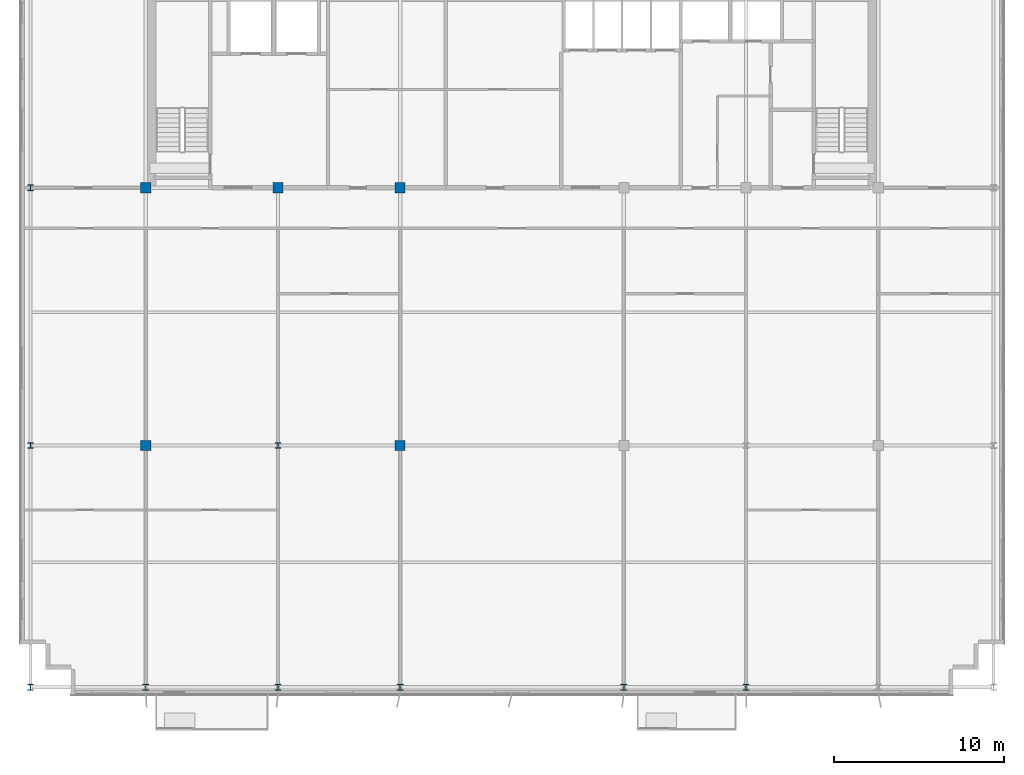
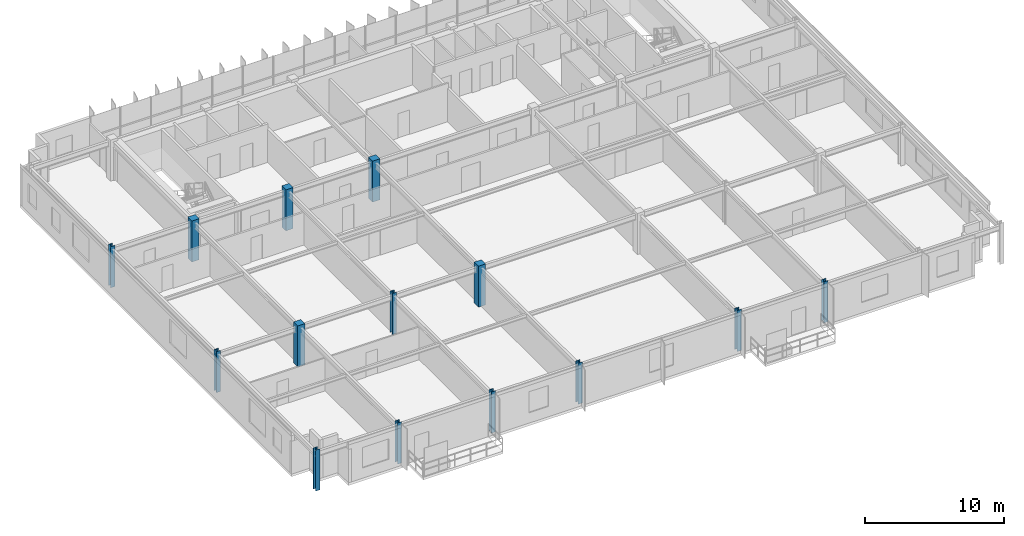
# One storey, part 1 of 21: 14 columns.
"""IFC4 building model written with IfcOpenShell, lengths in metres."""

from ifc_helpers import new_model, si_unit, direction, frame, origin, origin_2d, place, context, subcontext, project, spatial, rectangle, i_section, extrude, source, transform, mapped, material, material_profile, profile_set, type_object, element, save


model = new_model("IFC4")

# Units and contexts
model_context = context("Model", 3, precision=1e-05, world=origin(), true_north=direction((0.0, 1.0)))
body_context = subcontext(model_context, "Body", "Model", "MODEL_VIEW")
ifc_project = project(units=[si_unit("LENGTHUNIT", "METRE"), si_unit("AREAUNIT", "SQUARE_METRE"), si_unit("VOLUMEUNIT", "CUBIC_METRE"), si_unit("PLANEANGLEUNIT", "RADIAN"), si_unit("MASSUNIT", "GRAM", prefix="KILO")], contexts=[model_context])

# Site, building, storey
site_placement = place(None, origin())
site = spatial("IfcSite", under=ifc_project, at=site_placement, CompositionType="ELEMENT")
building_placement = place(site_placement, origin())
building = spatial("IfcBuilding", under=site, at=building_placement, Name="Trelvane Seafront Commons", CompositionType="ELEMENT")
storey_placement = place(building_placement, frame((0.0, 0.0, 252.300048828125)))
storey = spatial("IfcBuildingStorey", under=building, at=storey_placement, Name="L65", CompositionType="ELEMENT", Elevation=252.300048828125)

# Columns
ifc_material_1 = material(Name="Steel SM355 (S355)", Category="steel")
ifc_material_profile_1 = material_profile(ifc_material_1, i_section(OverallWidth=0.35009765625, OverallDepth=0.35009765625, WebThickness=0.01806640625, FlangeThickness=0.028076171875, at=origin_2d()), Name="HD-350x350x18x28")
ifc_profile_set_1 = profile_set([ifc_material_profile_1], Name="Steel SM355 (S355)")
column_type_1 = type_object("IfcColumnType", Name="STR-COL-HD350", PredefinedType="COLUMN", material=ifc_profile_set_1)
shared_shape_1 = source(origin(), body_context, "Body", "SweptSolid", [
    extrude(i_section(OverallWidth=0.35009765625, OverallDepth=0.35009765625, WebThickness=0.01806640625, FlangeThickness=0.028076171875, at=origin_2d()), origin(), (0.0, 0.0, 1.0), 3.599853515625),
])
for number, where, z_axis, x_axis, name in (
    (1, (8.800048828125, 3.949951171875, 0.0), (0.0, 0.0, 1.0), (1.0, 0.0, 0.0), "L65 Column TC-S8.8"),
    (2, (8.800048828125, 18.199951171875, 0.0), (0.0, 0.0, 1.0), (1.0, 0.0, 0.0), "L65 Column TC-M8.8"),
    (3, (8.800048828125, 33.39990234375, 0.0), (0.0, 0.0, 1.0), (1.0, 0.0, 0.0), "L65 Column TC-CS8.8"),
    (4, (15.60009765625, 3.949951171875, 0.0), (0.0, 0.0, 1.0), (1.0, 0.0, 0.0), "L65 Column TC-S15.6"),
    (5, (23.39990234375, 3.949951171875, 0.0), (0.0, 0.0, 1.0), (1.0, 0.0, 0.0), "L65 Column TC-S23.4"),
    (6, (23.39990234375, 18.199951171875, 0.0), (0.0, 0.0, 1.0), (1.0, 0.0, 0.0), "L65 Column TC-M23.4"),
    (7, (30.60009765625, 3.949951171875, 0.0), (0.0, 0.0, 1.0), (1.0, 0.0, 0.0), "L65 Column TC-S30.6"),
    (8, (43.800048828125, 3.949951171875, 0.0), (0.0, 0.0, 1.0), (1.0, 0.0, 0.0), "L65 Column TC-S43.8"),
    (9, (51.0, 3.949951171875, 0.0), (0.0, 0.0, 1.0), (1.0, 0.0, 0.0), "L65 Column TC-S51.0"),
):
    element("IfcColumn", number, at=place(storey_placement, frame(where, z_axis=z_axis, x_axis=x_axis)), inside=storey, type_object=column_type_1, Name=name, PredefinedType="COLUMN", context=body_context, shape_type="MappedRepresentation", body=[
        mapped(shared_shape_1, transform((0.0, 0.0, 0.0), x_axis=(1.0, 0.0, 0.0), y_axis=(0.0, 1.0, 0.0), z_axis=(0.0, 0.0, 1.0), scale=1.0)),
    ])
ifc_material_2 = material(Name="Concrete C50/60", Category="concrete")
ifc_material_profile_2 = material_profile(ifc_material_2, rectangle(XDim=0.60009765625, YDim=0.60009765625, at=origin_2d()), Name="RC-600x600")
ifc_profile_set_2 = profile_set([ifc_material_profile_2], Name="Concrete C50/60")
column_type_2 = type_object("IfcColumnType", Name="STR-COL-RC600", PredefinedType="COLUMN", material=ifc_profile_set_2)
shared_shape_2 = source(origin(), body_context, "Body", "SweptSolid", [
    extrude(rectangle(XDim=0.60009765625, YDim=0.60009765625, at=origin_2d()), origin(), (0.0, 0.0, 1.0), 3.599853515625),
])
for number, where, z_axis, x_axis, name in (
    (10, (15.60009765625, 18.199951171875, 0.0), (0.0, 0.0, 1.0), (1.0, 0.0, 0.0), "L65 Column TC-M15.6"),
    (11, (15.60009765625, 33.39990234375, 0.0), (0.0, 0.0, 1.0), (1.0, 0.0, 0.0), "L65 Column TC-CS15.6"),
    (12, (23.39990234375, 33.39990234375, 0.0), (0.0, 0.0, 1.0), (1.0, 0.0, 0.0), "L65 Column TC-CS23.4"),
    (13, (30.60009765625, 18.199951171875, 0.0), (0.0, 0.0, 1.0), (1.0, 0.0, 0.0), "L65 Column TC-M30.6"),
    (14, (30.60009765625, 33.39990234375, 0.0), (0.0, 0.0, 1.0), (1.0, 0.0, 0.0), "L65 Column TC-CS30.6"),
):
    element("IfcColumn", number, at=place(storey_placement, frame(where, z_axis=z_axis, x_axis=x_axis)), inside=storey, type_object=column_type_2, Name=name, PredefinedType="COLUMN", context=body_context, shape_type="MappedRepresentation", body=[
        mapped(shared_shape_2, transform((0.0, 0.0, 0.0), x_axis=(1.0, 0.0, 0.0), y_axis=(0.0, 1.0, 0.0), z_axis=(0.0, 0.0, 1.0), scale=1.0)),
    ])

save(model, "model.ifc")
